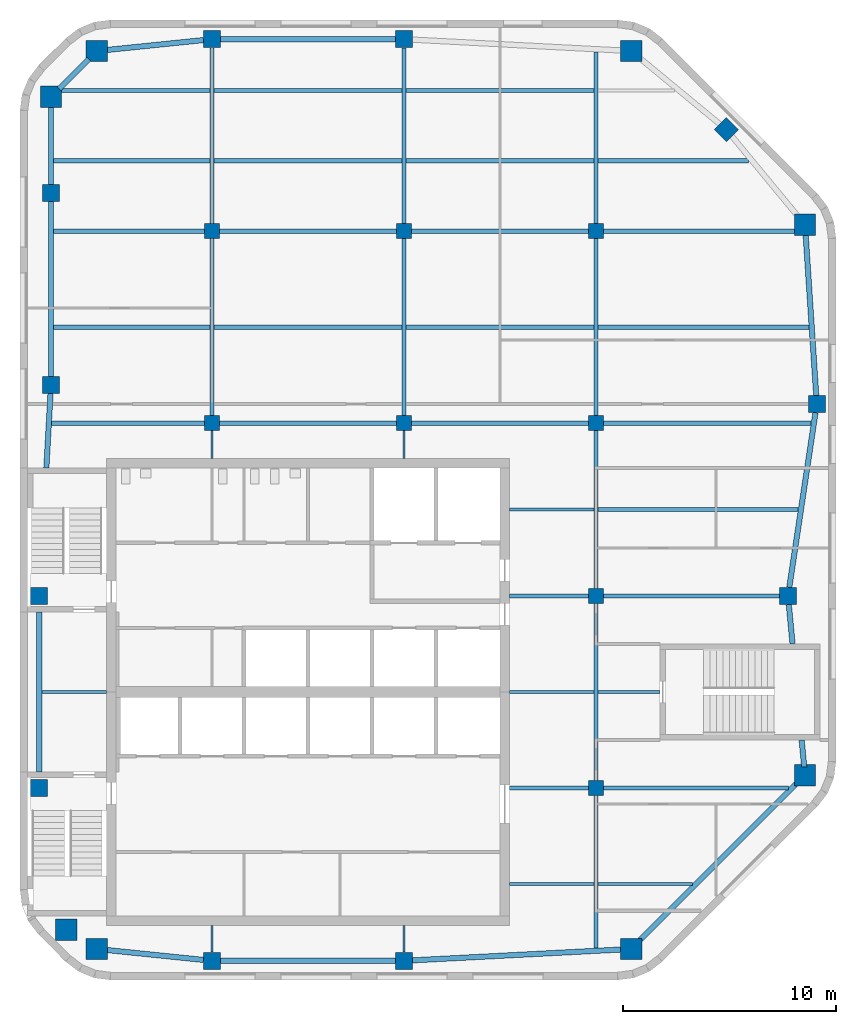
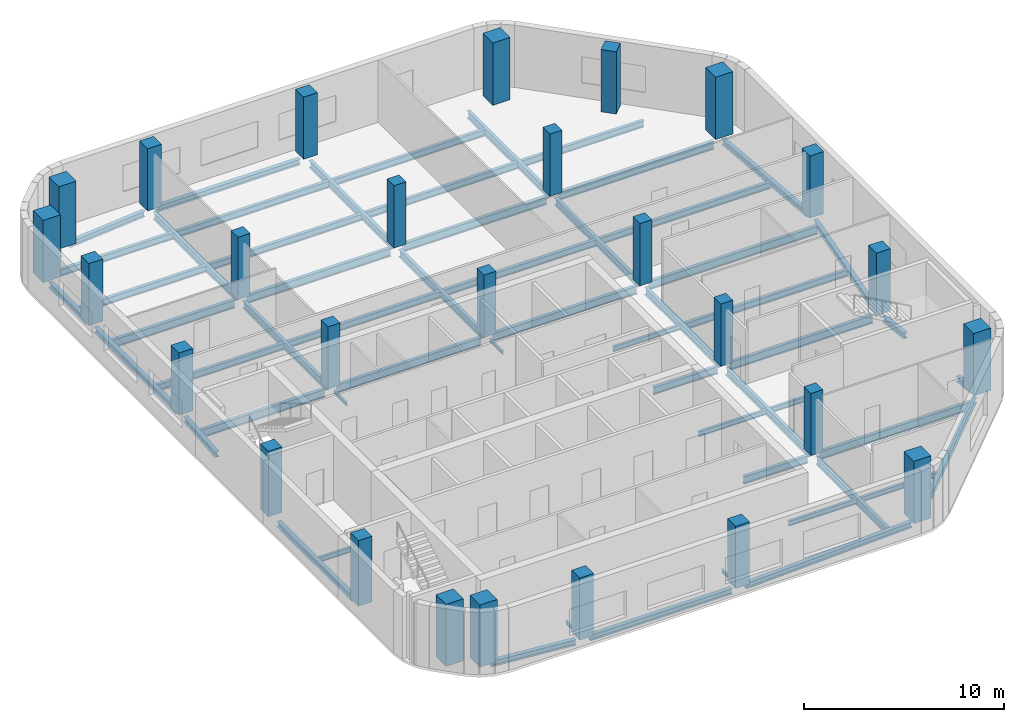
# One storey, part 1 of 7: 58 beams, 27 columns.
"""IFC4 building model written with IfcOpenShell, lengths in metres."""

from ifc_helpers import new_model, si_unit, direction, frame, origin, origin_2d, place, context, subcontext, project, spatial, rectangle, i_section, extrude, material, material_profile, profile_set, type_object, element, save


model = new_model("IFC4")

# Units and contexts
model_context = context("Model", 3, precision=1e-05, world=origin(), true_north=direction((0.0, 1.0)))
body_context = subcontext(model_context, "Body", "Model", "MODEL_VIEW")
ifc_project = project(units=[si_unit("LENGTHUNIT", "METRE"), si_unit("AREAUNIT", "SQUARE_METRE"), si_unit("VOLUMEUNIT", "CUBIC_METRE"), si_unit("PLANEANGLEUNIT", "RADIAN"), si_unit("MASSUNIT", "GRAM", prefix="KILO")], contexts=[model_context])

# Site, building, storey
site_placement = place(None, origin())
site = spatial("IfcSite", under=ifc_project, at=site_placement, CompositionType="ELEMENT")
building_placement = place(site_placement, origin())
building = spatial("IfcBuilding", under=site, at=building_placement, Name="Cinnabar Reach Civic Tower", CompositionType="ELEMENT")
storey_placement = place(building_placement, frame((0.0, 0.0, 279.0)))
storey = spatial("IfcBuildingStorey", under=building, at=storey_placement, Name="L67", CompositionType="ELEMENT", Elevation=279.0)

# Columns
ifc_material_1 = material(Name="Concrete C70", Category="concrete")
ifc_material_profile_1 = material_profile(ifc_material_1, rectangle(XDim=1.0, YDim=1.0, at=origin_2d()), Name="RC1000")
ifc_profile_set_1 = profile_set([ifc_material_profile_1], Name="Concrete C70")
column_type_1 = type_object("IfcColumnType", Name="RC1000 column R 240", PredefinedType="COLUMN", material=ifc_profile_set_1)
for number, where, z_axis, x_axis, name in (
    (1, (3.6019, 19.4531, 0.0), (0.0, 0.0, 1.0), (1.0, 0.0, 0.0), "Column T1-Z5-CC0"),
    (2, (28.6481, 19.4531, 0.0), (0.0, 0.0, 1.0), (1.0, 0.0, 0.0), "Column T1-Z5-CC1"),
    (3, (36.7969, 27.6019, 0.0), (0.0, 0.0, 1.0), (1.0, 0.0, 0.0), "Column T1-Z5-CC2"),
    (4, (36.7969, 53.3981, 0.0), (0.0, 0.0, 1.0), (1.0, 0.0, 0.0), "Column T1-Z5-CC3"),
    (5, (28.6481, 61.5469, 0.0), (0.0, 0.0, 1.0), (1.0, 0.0, 0.0), "Column T1-Z5-CC4"),
    (6, (3.6019, 61.5469, 0.0), (0.0, 0.0, 1.0), (1.0, 0.0, 0.0), "Column T1-Z5-CC5"),
    (7, (1.4531, 59.3981, 0.0), (0.0, 0.0, 1.0), (1.0, 0.0, 0.0), "Column T1-Z5-CC6"),
    (8, (2.1631, 20.35, 0.0), (0.0, 0.0, 1.0), (1.0, 0.0, 0.0), "Column T1-Z5-CC7"),
):
    element("IfcColumn", number, at=place(storey_placement, frame(where, z_axis=z_axis, x_axis=x_axis)), inside=storey, type_object=column_type_1, Name=name, PredefinedType="COLUMN", context=body_context, shape_type="SweptSolid", body=[
        extrude(rectangle(XDim=1.0, YDim=1.0, at=origin_2d()), origin(), (0.0, 0.0, 1.0), 3.8),
    ])
ifc_material_2 = material(Name="Concrete C60", Category="concrete")
ifc_material_profile_2 = material_profile(ifc_material_2, rectangle(XDim=0.7, YDim=0.7, at=origin_2d()), Name="RC700")
ifc_profile_set_2 = profile_set([ifc_material_profile_2], Name="Concrete C60")
column_type_2 = type_object("IfcColumnType", Name="RC700 column R 240", PredefinedType="COLUMN", material=ifc_profile_set_2)
for number, where, z_axis, x_axis, name in (
    (9, (9.0, 44.1, 0.0), (0.0, 0.0, 1.0), (1.0, 0.0, 0.0), "Column T1-Z5-I9_45"),
    (10, (9.0, 53.1, 0.0), (0.0, 0.0, 1.0), (1.0, 0.0, 0.0), "Column T1-Z5-I9_54"),
    (11, (18.0, 44.1, 0.0), (0.0, 0.0, 1.0), (1.0, 0.0, 0.0), "Column T1-Z5-I18_45"),
    (12, (18.0, 53.1, 0.0), (0.0, 0.0, 1.0), (1.0, 0.0, 0.0), "Column T1-Z5-I18_54"),
    (13, (27.0, 27.0, 0.0), (0.0, 0.0, 1.0), (1.0, 0.0, 0.0), "Column T1-Z5-I27_27"),
    (14, (27.0, 36.0, 0.0), (0.0, 0.0, 1.0), (1.0, 0.0, 0.0), "Column T1-Z5-I27_36"),
    (15, (27.0, 44.1, 0.0), (0.0, 0.0, 1.0), (1.0, 0.0, 0.0), "Column T1-Z5-I27_45"),
    (16, (27.0, 53.1, 0.0), (0.0, 0.0, 1.0), (1.0, 0.0, 0.0), "Column T1-Z5-I27_54"),
):
    element("IfcColumn", number, at=place(storey_placement, frame(where, z_axis=z_axis, x_axis=x_axis)), inside=storey, type_object=column_type_2, Name=name, PredefinedType="COLUMN", context=body_context, shape_type="SweptSolid", body=[
        extrude(rectangle(XDim=0.7, YDim=0.7, at=origin_2d()), origin(), (0.0, 0.0, 1.0), 3.8),
    ])
ifc_material_profile_3 = material_profile(ifc_material_2, rectangle(XDim=0.8, YDim=0.8, at=origin_2d()), Name="RC800")
ifc_profile_set_3 = profile_set([ifc_material_profile_3], Name="Concrete C60")
column_type_3 = type_object("IfcColumnType", Name="RC800 column R 240", PredefinedType="COLUMN", material=ifc_profile_set_3)
for number, where, z_axis, x_axis, name in (
    (17, (9.0, 18.9, 0.0), (0.0, 0.0, 1.0), (1.0, 0.0, 0.0), "Column T1-Z5-F0-1"),
    (18, (18.0, 18.9, 0.0), (0.0, 0.0, 1.0), (1.0, 0.0, 0.0), "Column T1-Z5-F0-2"),
    (19, (36.0, 36.0, 0.0), (0.0, 0.0, 1.0), (1.0, 0.0, 0.0), "Column T1-Z5-F2-4"),
    (20, (37.35, 45.0, 0.0), (0.0, 0.0, 1.0), (1.0, 0.0, 0.0), "Column T1-Z5-F2-5"),
    (21, (33.1136, 57.8636, 0.0), (0.0, 0.0, 1.0), (0.707106781187, 0.707106781187, 0.0), "Column T1-Z5-F3-M"),
    (22, (9.0, 62.1, 0.0), (0.0, 0.0, 1.0), (1.0, 0.0, 0.0), "Column T1-Z5-F4-1"),
    (23, (18.0, 62.1, 0.0), (0.0, 0.0, 1.0), (1.0, 0.0, 0.0), "Column T1-Z5-F4-2"),
):
    element("IfcColumn", number, at=place(storey_placement, frame(where, z_axis=z_axis, x_axis=x_axis)), inside=storey, type_object=column_type_3, Name=name, PredefinedType="COLUMN", context=body_context, shape_type="SweptSolid", body=[
        extrude(rectangle(XDim=0.8, YDim=0.8, at=origin_2d()), origin(), (0.0, 0.0, 1.0), 3.8),
    ])
for number, where, z_axis, x_axis, name in (
    (24, (0.9, 27.0, 0.0), (0.0, 0.0, 1.0), (1.0, 0.0, 0.0), "Column T1-Z5-F6-3"),
    (25, (0.9, 36.0, 0.0), (0.0, 0.0, 1.0), (1.0, 0.0, 0.0), "Column T1-Z5-F6-4"),
):
    element("IfcColumn", number, at=place(storey_placement, frame(where, z_axis=z_axis, x_axis=x_axis)), inside=storey, type_object=column_type_3, Name=name, PredefinedType="COLUMN", context=body_context, shape_type="SweptSolid", body=[
        extrude(rectangle(XDim=0.8, YDim=0.8, at=origin_2d()), origin(), (0.0, 0.0, 1.0), 4.0),
    ])
for number, where, z_axis, x_axis, name in (
    (26, (1.4531, 45.8981, 0.0), (0.0, 0.0, 1.0), (1.0, 0.0, 0.0), "Column T1-Z5-F6-5"),
    (27, (1.4531, 54.8981, 0.0), (0.0, 0.0, 1.0), (1.0, 0.0, 0.0), "Column T1-Z5-F6-6"),
):
    element("IfcColumn", number, at=place(storey_placement, frame(where, z_axis=z_axis, x_axis=x_axis)), inside=storey, type_object=column_type_3, Name=name, PredefinedType="COLUMN", context=body_context, shape_type="SweptSolid", body=[
        extrude(rectangle(XDim=0.8, YDim=0.8, at=origin_2d()), origin(), (0.0, 0.0, 1.0), 3.8),
    ])

# Beams
ifc_material_3 = material(Name="Steel Q355B", Category="steel")
ifc_material_profile_4 = material_profile(ifc_material_3, i_section(OverallWidth=0.25, OverallDepth=0.34, WebThickness=0.009, FlangeThickness=0.014, FilletRadius=0.013, at=origin_2d()), Name="HM340x250x9x14")
ifc_profile_set_4 = profile_set([ifc_material_profile_4], Name="Steel Q355B")
beam_type_1 = type_object("IfcBeamType", Name="HM340x250x9x14 beam R 180", PredefinedType="BEAM", material=ifc_profile_set_4)
beam_1_placement = place(storey_placement, frame((3.9839, 19.414, -0.32), z_axis=(0.994791084875, -0.101934770579, 0.0), x_axis=(0.101934770579, 0.994791084875, 0.0)))
element("IfcBeam", 28, at=beam_1_placement, inside=storey, type_object=beam_type_1, Name="Edge beam T1 L67 1", PredefinedType="BEAM", context=body_context, shape_type="SweptSolid", body=[
    extrude(i_section(OverallWidth=0.25, OverallDepth=0.34, WebThickness=0.009, FlangeThickness=0.014, FilletRadius=0.013, at=origin_2d()), origin(), (0.0, 0.0, 1.0), 4.6383),
])
beam_2_placement = place(storey_placement, frame((9.402, 18.9, -0.32), z_axis=(1.0, 0.0, 0.0), x_axis=(0.0, 1.0, 0.0)))
element("IfcBeam", 29, at=beam_2_placement, inside=storey, type_object=beam_type_1, Name="Edge beam T1 L67 2", PredefinedType="BEAM", context=body_context, shape_type="SweptSolid", body=[
    extrude(i_section(OverallWidth=0.25, OverallDepth=0.34, WebThickness=0.009, FlangeThickness=0.014, FilletRadius=0.013, at=origin_2d()), origin(), (0.0, 0.0, 1.0), 8.196),
])
beam_3_placement = place(storey_placement, frame((18.402, 18.9209, -0.32), z_axis=(0.998653533726, 0.051876001934, 0.0), x_axis=(-0.051876001934, 0.998653533726, 0.0)))
element("IfcBeam", 30, at=beam_3_placement, inside=storey, type_object=beam_type_1, Name="Edge beam T1 L67 3", PredefinedType="BEAM", context=body_context, shape_type="SweptSolid", body=[
    extrude(i_section(OverallWidth=0.25, OverallDepth=0.34, WebThickness=0.009, FlangeThickness=0.014, FilletRadius=0.013, at=origin_2d()), origin(), (0.0, 0.0, 1.0), 9.8774),
])
beam_4_placement = place(storey_placement, frame((29.0301, 19.8351, -0.32), z_axis=(0.707106781187, 0.707106781187, 0.0), x_axis=(-0.707106781187, 0.707106781187, 0.0)))
element("IfcBeam", 31, at=beam_4_placement, inside=storey, type_object=beam_type_1, Name="Edge beam T1 L67 4", PredefinedType="BEAM", context=body_context, shape_type="SweptSolid", body=[
    extrude(i_section(OverallWidth=0.25, OverallDepth=0.34, WebThickness=0.009, FlangeThickness=0.014, FilletRadius=0.013, at=origin_2d()), origin(), (0.0, 0.0, 1.0), 10.4437),
])
beam_5_placement = place(storey_placement, frame((36.7607, 27.9839, -0.32), z_axis=(-0.094504338241, 0.995524449752, 0.0), x_axis=(-0.995524449752, -0.094504338241, 0.0)))
element("IfcBeam", 32, at=beam_5_placement, inside=storey, type_object=beam_type_1, Name="Edge beam T1 L67 5", PredefinedType="BEAM", context=body_context, shape_type="SweptSolid", body=[
    extrude(i_section(OverallWidth=0.25, OverallDepth=0.34, WebThickness=0.009, FlangeThickness=0.014, FilletRadius=0.013, at=origin_2d()), origin(), (0.0, 0.0, 1.0), 1.2698),
])
beam_6_placement = place(storey_placement, frame((36.2133, 33.752, -0.32), z_axis=(-0.094483333102, 0.995526443529, 0.0), x_axis=(-0.995526443529, -0.094483333102, 0.0)))
element("IfcBeam", 33, at=beam_6_placement, inside=storey, type_object=beam_type_1, Name="Edge beam T1 L67 6", PredefinedType="BEAM", context=body_context, shape_type="SweptSolid", body=[
    extrude(i_section(OverallWidth=0.25, OverallDepth=0.34, WebThickness=0.009, FlangeThickness=0.014, FilletRadius=0.013, at=origin_2d()), origin(), (0.0, 0.0, 1.0), 1.8543),
])
beam_7_placement = place(storey_placement, frame((36.0603, 36.402, -0.32), z_axis=(0.14834045293, 0.988936352868, 0.0), x_axis=(-0.988936352868, 0.14834045293, 0.0)))
element("IfcBeam", 34, at=beam_7_placement, inside=storey, type_object=beam_type_1, Name="Edge beam T1 L67 7", PredefinedType="BEAM", context=body_context, shape_type="SweptSolid", body=[
    extrude(i_section(OverallWidth=0.25, OverallDepth=0.34, WebThickness=0.009, FlangeThickness=0.014, FilletRadius=0.013, at=origin_2d()), origin(), (0.0, 0.0, 1.0), 8.2877),
])
beam_8_placement = place(storey_placement, frame((37.3235, 45.402, -0.32), z_axis=(-0.065709195057, 0.997838815483, 0.0), x_axis=(-0.997838815483, -0.065709195057, 0.0)))
element("IfcBeam", 35, at=beam_8_placement, inside=storey, type_object=beam_type_1, Name="Edge beam T1 L67 8", PredefinedType="BEAM", context=body_context, shape_type="SweptSolid", body=[
    extrude(i_section(OverallWidth=0.25, OverallDepth=0.34, WebThickness=0.009, FlangeThickness=0.014, FilletRadius=0.013, at=origin_2d()), origin(), (0.0, 0.0, 1.0), 7.6306),
])
beam_9_placement = place(storey_placement, frame((17.598, 62.1, -0.32), z_axis=(-1.0, 0.0, 0.0), x_axis=(0.0, -1.0, 0.0)))
element("IfcBeam", 36, at=beam_9_placement, inside=storey, type_object=beam_type_1, Name="Edge beam T1 L67 12", PredefinedType="BEAM", context=body_context, shape_type="SweptSolid", body=[
    extrude(i_section(OverallWidth=0.25, OverallDepth=0.34, WebThickness=0.009, FlangeThickness=0.014, FilletRadius=0.013, at=origin_2d()), origin(), (0.0, 0.0, 1.0), 8.196),
])
beam_10_placement = place(storey_placement, frame((8.598, 62.0588, -0.32), z_axis=(-0.994791084875, -0.101934770579, 0.0), x_axis=(0.101934770579, -0.994791084875, 0.0)))
element("IfcBeam", 37, at=beam_10_placement, inside=storey, type_object=beam_type_1, Name="Edge beam T1 L67 13", PredefinedType="BEAM", context=body_context, shape_type="SweptSolid", body=[
    extrude(i_section(OverallWidth=0.25, OverallDepth=0.34, WebThickness=0.009, FlangeThickness=0.014, FilletRadius=0.013, at=origin_2d()), origin(), (0.0, 0.0, 1.0), 4.6383),
])
beam_11_placement = place(storey_placement, frame((3.2199, 61.1649, -0.32), z_axis=(-0.707106781187, -0.707106781187, 0.0), x_axis=(0.707106781187, -0.707106781187, 0.0)))
element("IfcBeam", 38, at=beam_11_placement, inside=storey, type_object=beam_type_1, Name="Edge beam T1 L67 14", PredefinedType="BEAM", context=body_context, shape_type="SweptSolid", body=[
    extrude(i_section(OverallWidth=0.25, OverallDepth=0.34, WebThickness=0.009, FlangeThickness=0.014, FilletRadius=0.013, at=origin_2d()), origin(), (0.0, 0.0, 1.0), 1.9584),
])
beam_12_placement = place(storey_placement, frame((1.4531, 59.0161, -0.32), z_axis=(0.0, -1.0, 0.0), x_axis=(1.0, 0.0, 0.0)))
element("IfcBeam", 39, at=beam_12_placement, inside=storey, type_object=beam_type_1, Name="Edge beam T1 L67 15", PredefinedType="BEAM", context=body_context, shape_type="SweptSolid", body=[
    extrude(i_section(OverallWidth=0.25, OverallDepth=0.34, WebThickness=0.009, FlangeThickness=0.014, FilletRadius=0.013, at=origin_2d()), origin(), (0.0, 0.0, 1.0), 3.716),
])
beam_13_placement = place(storey_placement, frame((1.4531, 54.4961, -0.32), z_axis=(0.0, -1.0, 0.0), x_axis=(1.0, 0.0, 0.0)))
element("IfcBeam", 40, at=beam_13_placement, inside=storey, type_object=beam_type_1, Name="Edge beam T1 L67 16", PredefinedType="BEAM", context=body_context, shape_type="SweptSolid", body=[
    extrude(i_section(OverallWidth=0.25, OverallDepth=0.34, WebThickness=0.009, FlangeThickness=0.014, FilletRadius=0.013, at=origin_2d()), origin(), (0.0, 0.0, 1.0), 8.196),
])
beam_14_placement = place(storey_placement, frame((1.4306, 45.4961, -0.32), z_axis=(-0.055778628236, -0.998443160441, 0.0), x_axis=(0.998443160441, -0.055778628236, 0.0)))
element("IfcBeam", 41, at=beam_14_placement, inside=storey, type_object=beam_type_1, Name="Edge beam T1 L67 17", PredefinedType="BEAM", context=body_context, shape_type="SweptSolid", body=[
    extrude(i_section(OverallWidth=0.25, OverallDepth=0.34, WebThickness=0.009, FlangeThickness=0.014, FilletRadius=0.013, at=origin_2d()), origin(), (0.0, 0.0, 1.0), 3.4995),
])
beam_15_placement = place(storey_placement, frame((0.9, 35.248, -0.32), z_axis=(0.0, -1.0, 0.0), x_axis=(1.0, 0.0, 0.0)))
element("IfcBeam", 42, at=beam_15_placement, inside=storey, type_object=beam_type_1, Name="Edge beam T1 L67 18", PredefinedType="BEAM", context=body_context, shape_type="SweptSolid", body=[
    extrude(i_section(OverallWidth=0.25, OverallDepth=0.34, WebThickness=0.009, FlangeThickness=0.014, FilletRadius=0.013, at=origin_2d()), origin(), (0.0, 0.0, 1.0), 7.496),
])
ifc_material_profile_5 = material_profile(ifc_material_3, i_section(OverallWidth=0.099, OverallDepth=0.198, WebThickness=0.0045, FlangeThickness=0.007, FilletRadius=0.013, at=origin_2d()), Name="HN200x100x5.5x8")
ifc_profile_set_5 = profile_set([ifc_material_profile_5], Name="Steel Q355B")
beam_type_2 = type_object("IfcBeamType", Name="HN200x100x5.5x8 beam R 180", PredefinedType="BEAM", material=ifc_profile_set_5)
beam_16_placement = place(storey_placement, frame((9.0, 19.302, -0.249), z_axis=(0.0, 1.0, 0.0), x_axis=(-1.0, 0.0, 0.0)))
element("IfcBeam", 43, at=beam_16_placement, inside=storey, type_object=beam_type_2, Name="Girder T1 L67 1", PredefinedType="BEAM", context=body_context, shape_type="SweptSolid", body=[
    extrude(i_section(OverallWidth=0.099, OverallDepth=0.198, WebThickness=0.0045, FlangeThickness=0.007, FilletRadius=0.013, at=origin_2d()), origin(), (0.0, 0.0, 1.0), 1.246),
])
beam_17_placement = place(storey_placement, frame((9.0, 42.452, -0.249), z_axis=(0.0, 1.0, 0.0), x_axis=(-1.0, 0.0, 0.0)))
element("IfcBeam", 44, at=beam_17_placement, inside=storey, type_object=beam_type_2, Name="Girder T1 L67 2", PredefinedType="BEAM", context=body_context, shape_type="SweptSolid", body=[
    extrude(i_section(OverallWidth=0.099, OverallDepth=0.198, WebThickness=0.0045, FlangeThickness=0.007, FilletRadius=0.013, at=origin_2d()), origin(), (0.0, 0.0, 1.0), 1.296),
])
beam_18_placement = place(storey_placement, frame((18.0, 19.302, -0.249), z_axis=(0.0, 1.0, 0.0), x_axis=(-1.0, 0.0, 0.0)))
element("IfcBeam", 45, at=beam_18_placement, inside=storey, type_object=beam_type_2, Name="Girder T1 L67 5", PredefinedType="BEAM", context=body_context, shape_type="SweptSolid", body=[
    extrude(i_section(OverallWidth=0.099, OverallDepth=0.198, WebThickness=0.0045, FlangeThickness=0.007, FilletRadius=0.013, at=origin_2d()), origin(), (0.0, 0.0, 1.0), 1.246),
])
beam_19_placement = place(storey_placement, frame((18.0, 42.452, -0.249), z_axis=(0.0, 1.0, 0.0), x_axis=(-1.0, 0.0, 0.0)))
element("IfcBeam", 46, at=beam_19_placement, inside=storey, type_object=beam_type_2, Name="Girder T1 L67 6", PredefinedType="BEAM", context=body_context, shape_type="SweptSolid", body=[
    extrude(i_section(OverallWidth=0.099, OverallDepth=0.198, WebThickness=0.0045, FlangeThickness=0.007, FilletRadius=0.013, at=origin_2d()), origin(), (0.0, 0.0, 1.0), 1.296),
])
ifc_material_profile_6 = material_profile(ifc_material_3, i_section(OverallWidth=0.15, OverallDepth=0.3, WebThickness=0.0065, FlangeThickness=0.009, FilletRadius=0.013, at=origin_2d()), Name="HN300x150x6.5x9")
ifc_profile_set_6 = profile_set([ifc_material_profile_6], Name="Steel Q355B")
beam_type_3 = type_object("IfcBeamType", Name="HN300x150x6.5x9 beam R 180", PredefinedType="BEAM", material=ifc_profile_set_6)
beam_20_placement = place(storey_placement, frame((22.952, 22.5, -0.3), z_axis=(1.0, 0.0, 0.0), x_axis=(0.0, 1.0, 0.0)))
element("IfcBeam", 47, at=beam_20_placement, inside=storey, type_object=beam_type_3, Name="Secondary beam T1 L67 1", PredefinedType="BEAM", context=body_context, shape_type="SweptSolid", body=[
    extrude(i_section(OverallWidth=0.15, OverallDepth=0.3, WebThickness=0.0065, FlangeThickness=0.009, FilletRadius=0.013, at=origin_2d()), origin(), (0.0, 0.0, 1.0), 3.946),
])
beam_21_placement = place(storey_placement, frame((27.102, 22.5, -0.3), z_axis=(1.0, 0.0, 0.0), x_axis=(0.0, 1.0, 0.0)))
element("IfcBeam", 48, at=beam_21_placement, inside=storey, type_object=beam_type_3, Name="Secondary beam T1 L67 2", PredefinedType="BEAM", context=body_context, shape_type="SweptSolid", body=[
    extrude(i_section(OverallWidth=0.15, OverallDepth=0.3, WebThickness=0.0065, FlangeThickness=0.009, FilletRadius=0.013, at=origin_2d()), origin(), (0.0, 0.0, 1.0), 4.4134),
])
beam_22_placement = place(storey_placement, frame((1.027, 31.5, -0.3), z_axis=(1.0, 0.0, 0.0), x_axis=(0.0, 1.0, 0.0)))
element("IfcBeam", 49, at=beam_22_placement, inside=storey, type_object=beam_type_3, Name="Secondary beam T1 L67 3", PredefinedType="BEAM", context=body_context, shape_type="SweptSolid", body=[
    extrude(i_section(OverallWidth=0.15, OverallDepth=0.3, WebThickness=0.0065, FlangeThickness=0.009, FilletRadius=0.013, at=origin_2d()), origin(), (0.0, 0.0, 1.0), 3.021),
])
beam_23_placement = place(storey_placement, frame((22.952, 31.5, -0.3), z_axis=(1.0, 0.0, 0.0), x_axis=(0.0, 1.0, 0.0)))
element("IfcBeam", 50, at=beam_23_placement, inside=storey, type_object=beam_type_3, Name="Secondary beam T1 L67 4", PredefinedType="BEAM", context=body_context, shape_type="SweptSolid", body=[
    extrude(i_section(OverallWidth=0.15, OverallDepth=0.3, WebThickness=0.0065, FlangeThickness=0.009, FilletRadius=0.013, at=origin_2d()), origin(), (0.0, 0.0, 1.0), 3.946),
])
beam_24_placement = place(storey_placement, frame((27.102, 31.5, -0.3), z_axis=(1.0, 0.0, 0.0), x_axis=(0.0, 1.0, 0.0)))
element("IfcBeam", 51, at=beam_24_placement, inside=storey, type_object=beam_type_3, Name="Secondary beam T1 L67 5", PredefinedType="BEAM", context=body_context, shape_type="SweptSolid", body=[
    extrude(i_section(OverallWidth=0.15, OverallDepth=0.3, WebThickness=0.0065, FlangeThickness=0.009, FilletRadius=0.013, at=origin_2d()), origin(), (0.0, 0.0, 1.0), 2.896),
])
beam_25_placement = place(storey_placement, frame((22.952, 40.05, -0.3), z_axis=(1.0, 0.0, 0.0), x_axis=(0.0, 1.0, 0.0)))
element("IfcBeam", 52, at=beam_25_placement, inside=storey, type_object=beam_type_3, Name="Secondary beam T1 L67 6", PredefinedType="BEAM", context=body_context, shape_type="SweptSolid", body=[
    extrude(i_section(OverallWidth=0.15, OverallDepth=0.3, WebThickness=0.0065, FlangeThickness=0.009, FilletRadius=0.013, at=origin_2d()), origin(), (0.0, 0.0, 1.0), 3.946),
])
ifc_material_profile_7 = material_profile(ifc_material_3, i_section(OverallWidth=0.2, OverallDepth=0.4, WebThickness=0.008, FlangeThickness=0.013, FilletRadius=0.016, at=origin_2d()), Name="HN400x200x8x13")
ifc_profile_set_7 = profile_set([ifc_material_profile_7], Name="Steel Q355B")
beam_type_4 = type_object("IfcBeamType", Name="HN400x200x8x13 beam R 180", PredefinedType="BEAM", material=ifc_profile_set_7)
beam_26_placement = place(storey_placement, frame((27.102, 40.05, -0.35), z_axis=(1.0, 0.0, 0.0), x_axis=(0.0, 1.0, 0.0)))
element("IfcBeam", 53, at=beam_26_placement, inside=storey, type_object=beam_type_4, Name="Secondary beam T1 L67 7", PredefinedType="BEAM", context=body_context, shape_type="SweptSolid", body=[
    extrude(i_section(OverallWidth=0.2, OverallDepth=0.4, WebThickness=0.008, FlangeThickness=0.013, FilletRadius=0.016, at=origin_2d()), origin(), (0.0, 0.0, 1.0), 9.3771),
])
beam_27_placement = place(storey_placement, frame((1.5801, 48.6, -0.35), z_axis=(1.0, 0.0, 0.0), x_axis=(0.0, 1.0, 0.0)))
element("IfcBeam", 54, at=beam_27_placement, inside=storey, type_object=beam_type_4, Name="Secondary beam T1 L67 8", PredefinedType="BEAM", context=body_context, shape_type="SweptSolid", body=[
    extrude(i_section(OverallWidth=0.2, OverallDepth=0.4, WebThickness=0.008, FlangeThickness=0.013, FilletRadius=0.016, at=origin_2d()), origin(), (0.0, 0.0, 1.0), 7.3179),
])
for number, where, z_axis, x_axis, name in (
    (55, (9.102, 48.6, -0.35), (1.0, 0.0, 0.0), (0.0, 1.0, 0.0), "Secondary beam T1 L67 9"),
    (56, (18.102, 48.6, -0.35), (1.0, 0.0, 0.0), (0.0, 1.0, 0.0), "Secondary beam T1 L67 10"),
):
    element("IfcBeam", number, at=place(storey_placement, frame(where, z_axis=z_axis, x_axis=x_axis)), inside=storey, type_object=beam_type_4, Name=name, PredefinedType="BEAM", context=body_context, shape_type="SweptSolid", body=[
        extrude(i_section(OverallWidth=0.2, OverallDepth=0.4, WebThickness=0.008, FlangeThickness=0.013, FilletRadius=0.016, at=origin_2d()), origin(), (0.0, 0.0, 1.0), 8.796),
    ])
beam_28_placement = place(storey_placement, frame((27.102, 48.6, -0.35), z_axis=(1.0, 0.0, 0.0), x_axis=(0.0, 1.0, 0.0)))
element("IfcBeam", 57, at=beam_28_placement, inside=storey, type_object=beam_type_4, Name="Secondary beam T1 L67 11", PredefinedType="BEAM", context=body_context, shape_type="SweptSolid", body=[
    extrude(i_section(OverallWidth=0.2, OverallDepth=0.4, WebThickness=0.008, FlangeThickness=0.013, FilletRadius=0.016, at=origin_2d()), origin(), (0.0, 0.0, 1.0), 9.8836),
])
beam_29_placement = place(storey_placement, frame((1.5801, 56.4, -0.35), z_axis=(1.0, 0.0, 0.0), x_axis=(0.0, 1.0, 0.0)))
element("IfcBeam", 58, at=beam_29_placement, inside=storey, type_object=beam_type_4, Name="Secondary beam T1 L67 12", PredefinedType="BEAM", context=body_context, shape_type="SweptSolid", body=[
    extrude(i_section(OverallWidth=0.2, OverallDepth=0.4, WebThickness=0.008, FlangeThickness=0.013, FilletRadius=0.016, at=origin_2d()), origin(), (0.0, 0.0, 1.0), 7.3179),
])
for number, where, z_axis, x_axis, name in (
    (59, (9.102, 56.4, -0.35), (1.0, 0.0, 0.0), (0.0, 1.0, 0.0), "Secondary beam T1 L67 13"),
    (60, (18.102, 56.4, -0.35), (1.0, 0.0, 0.0), (0.0, 1.0, 0.0), "Secondary beam T1 L67 14"),
):
    element("IfcBeam", number, at=place(storey_placement, frame(where, z_axis=z_axis, x_axis=x_axis)), inside=storey, type_object=beam_type_4, Name=name, PredefinedType="BEAM", context=body_context, shape_type="SweptSolid", body=[
        extrude(i_section(OverallWidth=0.2, OverallDepth=0.4, WebThickness=0.008, FlangeThickness=0.013, FilletRadius=0.016, at=origin_2d()), origin(), (0.0, 0.0, 1.0), 8.796),
    ])
beam_30_placement = place(storey_placement, frame((27.102, 56.4, -0.35), z_axis=(1.0, 0.0, 0.0), x_axis=(0.0, 1.0, 0.0)))
element("IfcBeam", 61, at=beam_30_placement, inside=storey, type_object=beam_type_4, Name="Secondary beam T1 L67 15", PredefinedType="BEAM", context=body_context, shape_type="SweptSolid", body=[
    extrude(i_section(OverallWidth=0.2, OverallDepth=0.4, WebThickness=0.008, FlangeThickness=0.013, FilletRadius=0.016, at=origin_2d()), origin(), (0.0, 0.0, 1.0), 7.0542),
])
beam_31_placement = place(storey_placement, frame((1.9551, 59.7, -0.35), z_axis=(1.0, 0.0, 0.0), x_axis=(0.0, 1.0, 0.0)))
element("IfcBeam", 62, at=beam_31_placement, inside=storey, type_object=beam_type_4, Name="Secondary beam T1 L67 16", PredefinedType="BEAM", context=body_context, shape_type="SweptSolid", body=[
    extrude(i_section(OverallWidth=0.2, OverallDepth=0.4, WebThickness=0.008, FlangeThickness=0.013, FilletRadius=0.016, at=origin_2d()), origin(), (0.0, 0.0, 1.0), 6.9429),
])
for number, where, z_axis, x_axis, name in (
    (63, (9.102, 59.7, -0.35), (1.0, 0.0, 0.0), (0.0, 1.0, 0.0), "Secondary beam T1 L67 17"),
    (64, (18.102, 59.7, -0.35), (1.0, 0.0, 0.0), (0.0, 1.0, 0.0), "Secondary beam T1 L67 18"),
):
    element("IfcBeam", number, at=place(storey_placement, frame(where, z_axis=z_axis, x_axis=x_axis)), inside=storey, type_object=beam_type_4, Name=name, PredefinedType="BEAM", context=body_context, shape_type="SweptSolid", body=[
        extrude(i_section(OverallWidth=0.2, OverallDepth=0.4, WebThickness=0.008, FlangeThickness=0.013, FilletRadius=0.016, at=origin_2d()), origin(), (0.0, 0.0, 1.0), 8.796),
    ])
ifc_material_profile_8 = material_profile(ifc_material_3, i_section(OverallWidth=0.2, OverallDepth=0.45, WebThickness=0.009, FlangeThickness=0.014, FilletRadius=0.016, at=origin_2d()), Name="HN450x200x9x14")
ifc_profile_set_8 = profile_set([ifc_material_profile_8], Name="Steel Q355B")
beam_type_5 = type_object("IfcBeamType", Name="HN450x200x9x14 beam R 180", PredefinedType="BEAM", material=ifc_profile_set_8)
for number, where, z_axis, x_axis, name in (
    (65, (22.952, 27.0, -0.375), (1.0, 0.0, 0.0), (0.0, 1.0, 0.0), "Girder T1 L67 1"),
    (66, (22.952, 36.0, -0.375), (1.0, 0.0, 0.0), (0.0, 1.0, 0.0), "Girder T1 L67 3"),
):
    element("IfcBeam", number, at=place(storey_placement, frame(where, z_axis=z_axis, x_axis=x_axis)), inside=storey, type_object=beam_type_5, Name=name, PredefinedType="BEAM", context=body_context, shape_type="SweptSolid", body=[
        extrude(i_section(OverallWidth=0.2, OverallDepth=0.45, WebThickness=0.009, FlangeThickness=0.014, FilletRadius=0.016, at=origin_2d()), origin(), (0.0, 0.0, 1.0), 3.696),
    ])
beam_32_placement = place(storey_placement, frame((9.0, 44.452, -0.375), z_axis=(0.0, 1.0, 0.0), x_axis=(-1.0, 0.0, 0.0)))
element("IfcBeam", 67, at=beam_32_placement, inside=storey, type_object=beam_type_5, Name="Girder T1 L67 3", PredefinedType="BEAM", context=body_context, shape_type="SweptSolid", body=[
    extrude(i_section(OverallWidth=0.2, OverallDepth=0.45, WebThickness=0.009, FlangeThickness=0.014, FilletRadius=0.016, at=origin_2d()), origin(), (0.0, 0.0, 1.0), 8.296),
])
beam_33_placement = place(storey_placement, frame((9.0, 53.452, -0.375), z_axis=(0.0, 1.0, 0.0), x_axis=(-1.0, 0.0, 0.0)))
element("IfcBeam", 68, at=beam_33_placement, inside=storey, type_object=beam_type_5, Name="Girder T1 L67 4", PredefinedType="BEAM", context=body_context, shape_type="SweptSolid", body=[
    extrude(i_section(OverallWidth=0.2, OverallDepth=0.45, WebThickness=0.009, FlangeThickness=0.014, FilletRadius=0.016, at=origin_2d()), origin(), (0.0, 0.0, 1.0), 8.246),
])
beam_34_placement = place(storey_placement, frame((18.0, 44.452, -0.375), z_axis=(0.0, 1.0, 0.0), x_axis=(-1.0, 0.0, 0.0)))
element("IfcBeam", 69, at=beam_34_placement, inside=storey, type_object=beam_type_5, Name="Girder T1 L67 7", PredefinedType="BEAM", context=body_context, shape_type="SweptSolid", body=[
    extrude(i_section(OverallWidth=0.2, OverallDepth=0.45, WebThickness=0.009, FlangeThickness=0.014, FilletRadius=0.016, at=origin_2d()), origin(), (0.0, 0.0, 1.0), 8.296),
])
beam_35_placement = place(storey_placement, frame((18.0, 53.452, -0.375), z_axis=(0.0, 1.0, 0.0), x_axis=(-1.0, 0.0, 0.0)))
element("IfcBeam", 70, at=beam_35_placement, inside=storey, type_object=beam_type_5, Name="Girder T1 L67 8", PredefinedType="BEAM", context=body_context, shape_type="SweptSolid", body=[
    extrude(i_section(OverallWidth=0.2, OverallDepth=0.45, WebThickness=0.009, FlangeThickness=0.014, FilletRadius=0.016, at=origin_2d()), origin(), (0.0, 0.0, 1.0), 8.246),
])
beam_36_placement = place(storey_placement, frame((27.0, 19.4947, -0.375), z_axis=(0.0, 1.0, 0.0), x_axis=(-1.0, 0.0, 0.0)))
element("IfcBeam", 71, at=beam_36_placement, inside=storey, type_object=beam_type_5, Name="Girder T1 L67 9", PredefinedType="BEAM", context=body_context, shape_type="SweptSolid", body=[
    extrude(i_section(OverallWidth=0.2, OverallDepth=0.45, WebThickness=0.009, FlangeThickness=0.014, FilletRadius=0.016, at=origin_2d()), origin(), (0.0, 0.0, 1.0), 7.1533),
])
beam_37_placement = place(storey_placement, frame((27.0, 27.352, -0.375), z_axis=(0.0, 1.0, 0.0), x_axis=(-1.0, 0.0, 0.0)))
element("IfcBeam", 72, at=beam_37_placement, inside=storey, type_object=beam_type_5, Name="Girder T1 L67 10", PredefinedType="BEAM", context=body_context, shape_type="SweptSolid", body=[
    extrude(i_section(OverallWidth=0.2, OverallDepth=0.45, WebThickness=0.009, FlangeThickness=0.014, FilletRadius=0.016, at=origin_2d()), origin(), (0.0, 0.0, 1.0), 8.296),
])
beam_38_placement = place(storey_placement, frame((27.0, 36.352, -0.375), z_axis=(0.0, 1.0, 0.0), x_axis=(-1.0, 0.0, 0.0)))
element("IfcBeam", 73, at=beam_38_placement, inside=storey, type_object=beam_type_5, Name="Girder T1 L67 11", PredefinedType="BEAM", context=body_context, shape_type="SweptSolid", body=[
    extrude(i_section(OverallWidth=0.2, OverallDepth=0.45, WebThickness=0.009, FlangeThickness=0.014, FilletRadius=0.016, at=origin_2d()), origin(), (0.0, 0.0, 1.0), 7.396),
])
beam_39_placement = place(storey_placement, frame((27.0, 44.452, -0.375), z_axis=(0.0, 1.0, 0.0), x_axis=(-1.0, 0.0, 0.0)))
element("IfcBeam", 74, at=beam_39_placement, inside=storey, type_object=beam_type_5, Name="Girder T1 L67 12", PredefinedType="BEAM", context=body_context, shape_type="SweptSolid", body=[
    extrude(i_section(OverallWidth=0.2, OverallDepth=0.45, WebThickness=0.009, FlangeThickness=0.014, FilletRadius=0.016, at=origin_2d()), origin(), (0.0, 0.0, 1.0), 8.296),
])
beam_40_placement = place(storey_placement, frame((27.0, 53.452, -0.375), z_axis=(0.0, 1.0, 0.0), x_axis=(-1.0, 0.0, 0.0)))
element("IfcBeam", 75, at=beam_40_placement, inside=storey, type_object=beam_type_5, Name="Girder T1 L67 13", PredefinedType="BEAM", context=body_context, shape_type="SweptSolid", body=[
    extrude(i_section(OverallWidth=0.2, OverallDepth=0.45, WebThickness=0.009, FlangeThickness=0.014, FilletRadius=0.016, at=origin_2d()), origin(), (0.0, 0.0, 1.0), 8.0533),
])
ifc_material_profile_9 = material_profile(ifc_material_3, i_section(OverallWidth=0.2, OverallDepth=0.5, WebThickness=0.01, FlangeThickness=0.016, FilletRadius=0.016, at=origin_2d()), Name="HN500x200x10x16")
ifc_profile_set_9 = profile_set([ifc_material_profile_9], Name="Steel Q355B")
beam_type_6 = type_object("IfcBeamType", Name="HN500x200x10x16 beam R 180", PredefinedType="BEAM", material=ifc_profile_set_9)
beam_41_placement = place(storey_placement, frame((27.352, 27.0, -0.4), z_axis=(1.0, 0.0, 0.0), x_axis=(0.0, 1.0, 0.0)))
element("IfcBeam", 76, at=beam_41_placement, inside=storey, type_object=beam_type_6, Name="Girder T1 L67 2", PredefinedType="BEAM", context=body_context, shape_type="SweptSolid", body=[
    extrude(i_section(OverallWidth=0.2, OverallDepth=0.5, WebThickness=0.01, FlangeThickness=0.016, FilletRadius=0.016, at=origin_2d()), origin(), (0.0, 0.0, 1.0), 8.6634),
])
beam_42_placement = place(storey_placement, frame((27.352, 36.0, -0.4), z_axis=(1.0, 0.0, 0.0), x_axis=(0.0, 1.0, 0.0)))
element("IfcBeam", 77, at=beam_42_placement, inside=storey, type_object=beam_type_6, Name="Girder T1 L67 4", PredefinedType="BEAM", context=body_context, shape_type="SweptSolid", body=[
    extrude(i_section(OverallWidth=0.2, OverallDepth=0.5, WebThickness=0.01, FlangeThickness=0.016, FilletRadius=0.016, at=origin_2d()), origin(), (0.0, 0.0, 1.0), 8.246),
])
beam_43_placement = place(storey_placement, frame((1.4798, 44.1, -0.4), z_axis=(1.0, 0.0, 0.0), x_axis=(0.0, 1.0, 0.0)))
element("IfcBeam", 78, at=beam_43_placement, inside=storey, type_object=beam_type_6, Name="Girder T1 L67 5", PredefinedType="BEAM", context=body_context, shape_type="SweptSolid", body=[
    extrude(i_section(OverallWidth=0.2, OverallDepth=0.5, WebThickness=0.01, FlangeThickness=0.016, FilletRadius=0.016, at=origin_2d()), origin(), (0.0, 0.0, 1.0), 7.1682),
])
for number, where, z_axis, x_axis, name in (
    (79, (9.352, 44.1, -0.4), (1.0, 0.0, 0.0), (0.0, 1.0, 0.0), "Girder T1 L67 6"),
    (80, (18.352, 44.1, -0.4), (1.0, 0.0, 0.0), (0.0, 1.0, 0.0), "Girder T1 L67 7"),
):
    element("IfcBeam", number, at=place(storey_placement, frame(where, z_axis=z_axis, x_axis=x_axis)), inside=storey, type_object=beam_type_6, Name=name, PredefinedType="BEAM", context=body_context, shape_type="SweptSolid", body=[
        extrude(i_section(OverallWidth=0.2, OverallDepth=0.5, WebThickness=0.01, FlangeThickness=0.016, FilletRadius=0.016, at=origin_2d()), origin(), (0.0, 0.0, 1.0), 8.296),
    ])
beam_44_placement = place(storey_placement, frame((27.352, 44.1, -0.4), z_axis=(1.0, 0.0, 0.0), x_axis=(0.0, 1.0, 0.0)))
element("IfcBeam", 81, at=beam_44_placement, inside=storey, type_object=beam_type_6, Name="Girder T1 L67 8", PredefinedType="BEAM", context=body_context, shape_type="SweptSolid", body=[
    extrude(i_section(OverallWidth=0.2, OverallDepth=0.5, WebThickness=0.01, FlangeThickness=0.016, FilletRadius=0.016, at=origin_2d()), origin(), (0.0, 0.0, 1.0), 9.7346),
])
beam_45_placement = place(storey_placement, frame((1.5801, 53.1, -0.4), z_axis=(1.0, 0.0, 0.0), x_axis=(0.0, 1.0, 0.0)))
element("IfcBeam", 82, at=beam_45_placement, inside=storey, type_object=beam_type_6, Name="Girder T1 L67 9", PredefinedType="BEAM", context=body_context, shape_type="SweptSolid", body=[
    extrude(i_section(OverallWidth=0.2, OverallDepth=0.5, WebThickness=0.01, FlangeThickness=0.016, FilletRadius=0.016, at=origin_2d()), origin(), (0.0, 0.0, 1.0), 7.0679),
])
for number, where, z_axis, x_axis, name in (
    (83, (9.352, 53.1, -0.4), (1.0, 0.0, 0.0), (0.0, 1.0, 0.0), "Girder T1 L67 10"),
    (84, (18.352, 53.1, -0.4), (1.0, 0.0, 0.0), (0.0, 1.0, 0.0), "Girder T1 L67 11"),
):
    element("IfcBeam", number, at=place(storey_placement, frame(where, z_axis=z_axis, x_axis=x_axis)), inside=storey, type_object=beam_type_6, Name=name, PredefinedType="BEAM", context=body_context, shape_type="SweptSolid", body=[
        extrude(i_section(OverallWidth=0.2, OverallDepth=0.5, WebThickness=0.01, FlangeThickness=0.016, FilletRadius=0.016, at=origin_2d()), origin(), (0.0, 0.0, 1.0), 8.296),
    ])
beam_46_placement = place(storey_placement, frame((27.352, 53.1, -0.4), z_axis=(1.0, 0.0, 0.0), x_axis=(0.0, 1.0, 0.0)))
element("IfcBeam", 85, at=beam_46_placement, inside=storey, type_object=beam_type_6, Name="Girder T1 L67 12", PredefinedType="BEAM", context=body_context, shape_type="SweptSolid", body=[
    extrude(i_section(OverallWidth=0.2, OverallDepth=0.5, WebThickness=0.01, FlangeThickness=0.016, FilletRadius=0.016, at=origin_2d()), origin(), (0.0, 0.0, 1.0), 8.9429),
])

save(model, "model.ifc")
